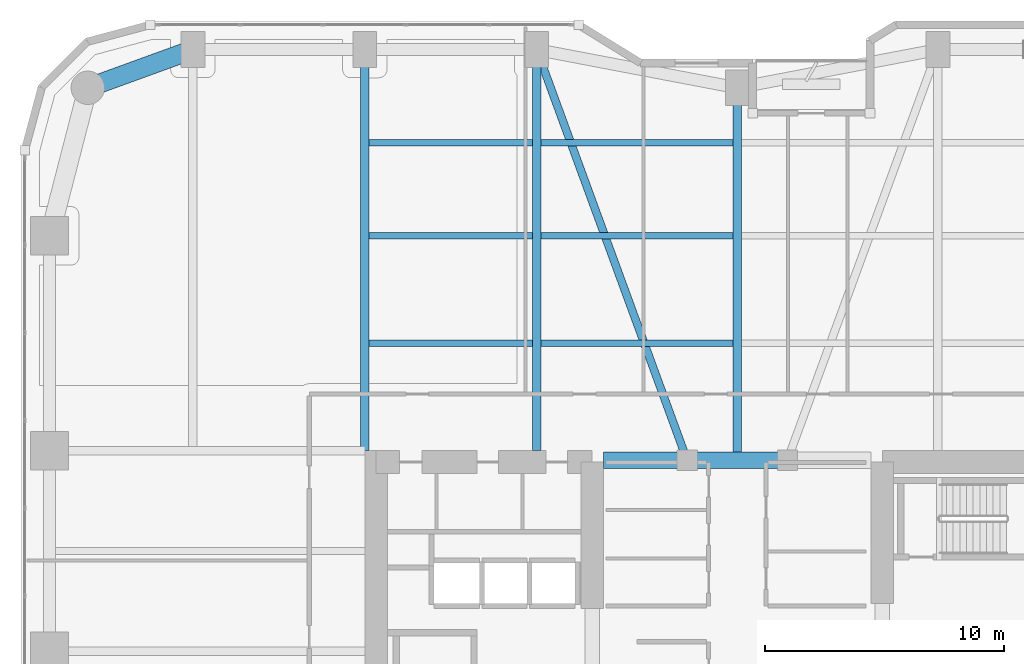
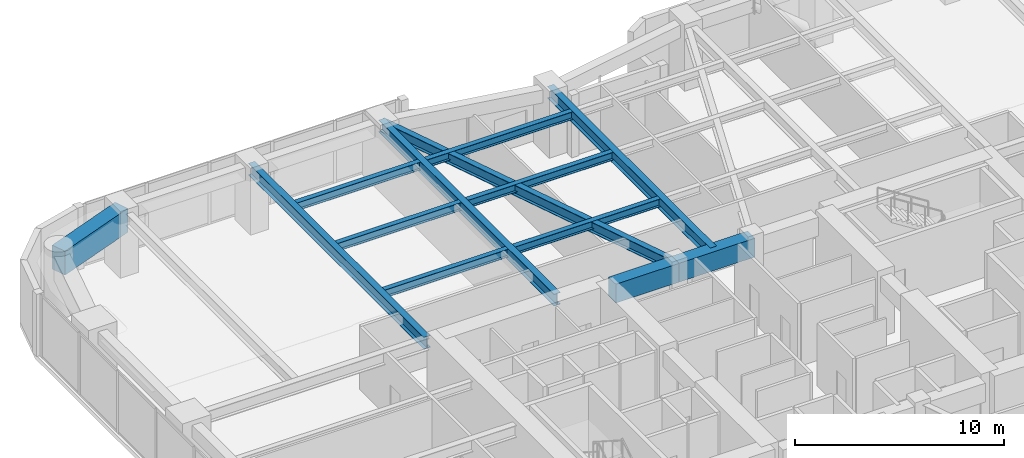
# One storey, part 15 of 28: 13 beams.
"""IFC4 building model written with IfcOpenShell, lengths in metres."""

from ifc_helpers import new_model, si_unit, direction, frame, origin, origin_2d, place, context, subcontext, project, spatial, rectangle, i_section, extrude, material, material_profile, profile_set, type_object, element, save


model = new_model("IFC4")

# Units and contexts
model_context = context("Model", 3, precision=1e-05, world=origin(), true_north=direction((0.0, 1.0)))
body_context = subcontext(model_context, "Body", "Model", "MODEL_VIEW")
ifc_project = project(units=[si_unit("LENGTHUNIT", "METRE"), si_unit("AREAUNIT", "SQUARE_METRE"), si_unit("VOLUMEUNIT", "CUBIC_METRE"), si_unit("PLANEANGLEUNIT", "RADIAN"), si_unit("MASSUNIT", "GRAM", prefix="KILO")], contexts=[model_context])

# Site, building, storey
site_placement = place(None, origin())
site = spatial("IfcSite", under=ifc_project, at=site_placement, CompositionType="ELEMENT")
building_placement = place(site_placement, origin())
building = spatial("IfcBuilding", under=site, at=building_placement, Name="Kiyonajd Concourse Tower", CompositionType="ELEMENT")
storey_placement = place(building_placement, frame((0.0, 0.0, 41.10009765625)))
storey = spatial("IfcBuildingStorey", under=building, at=storey_placement, Name="L11", CompositionType="ELEMENT", Elevation=41.10009765625)

# Beams
ifc_material_1 = material(Name="Concrete C70/85", Category="concrete")
ifc_material_profile_1 = material_profile(ifc_material_1, rectangle(XDim=0.699951171875, YDim=1.10009765625, at=origin_2d()), Name="RCBM-700x1100")
ifc_profile_set_1 = profile_set([ifc_material_profile_1], Name="Concrete C70/85")
beam_type_1 = type_object("IfcBeamType", Name="BM-COUP-1100", PredefinedType="LINTEL", material=ifc_profile_set_1)
beam_1_placement = place(storey_placement, frame((42.39990234375, 44.0, 3.08984375), z_axis=(1.0, 0.0, 0.0), x_axis=(0.0, 1.0, 0.0)))
element("IfcBeam", 1, at=beam_1_placement, inside=storey, type_object=beam_type_1, Name="L11 Core Coupling Beam N1", PredefinedType="LINTEL", context=body_context, shape_type="SweptSolid", body=[
    extrude(rectangle(XDim=0.699951171875, YDim=1.10009765625, at=origin_2d()), origin(), (0.0, 0.0, 1.0), 3.5),
])
beam_2_placement = place(storey_placement, frame((45.89990234375, 44.0, 3.08984375), z_axis=(1.0, 0.0, 0.0), x_axis=(0.0, 1.0, 0.0)))
element("IfcBeam", 2, at=beam_2_placement, inside=storey, type_object=beam_type_1, Name="L11 Core Coupling Beam N2", PredefinedType="LINTEL", context=body_context, shape_type="SweptSolid", body=[
    extrude(rectangle(XDim=0.699951171875, YDim=1.10009765625, at=origin_2d()), origin(), (0.0, 0.0, 1.0), 4.2001953125),
])
ifc_material_2 = material(Name="Steel ASTM A992 Grade 50", Category="steel")
ifc_material_profile_2 = material_profile(ifc_material_2, i_section(OverallWidth=0.280029296875, OverallDepth=0.462890625, WebThickness=0.0107421875, FlangeThickness=0.017333984375, at=origin_2d()), Name="W460X113")
ifc_profile_set_2 = profile_set([ifc_material_profile_2], Name="Steel ASTM A992 Grade 50")
beam_type_2 = type_object("IfcBeamType", Name="BM-JST-460A", PredefinedType="JOIST", material=ifc_profile_set_2)
beam_3_placement = place(storey_placement, frame((32.577392578125, 48.89990234375, 3.408447265625), z_axis=(1.0, 0.0, 0.0), x_axis=(0.0, 1.0, 0.0)))
element("IfcBeam", 3, at=beam_3_placement, inside=storey, type_object=beam_type_2, Name="L11 Secondary Floor Joist", PredefinedType="JOIST", context=body_context, shape_type="SweptSolid", body=[
    extrude(i_section(OverallWidth=0.280029296875, OverallDepth=0.462890625, WebThickness=0.0107421875, FlangeThickness=0.017333984375, at=origin_2d()), origin(), (0.0, 0.0, 1.0), 6.84521484375),
])
beam_4_placement = place(storey_placement, frame((39.777587890625, 48.89990234375, 3.408447265625), z_axis=(1.0, 0.0, 0.0), x_axis=(0.0, 1.0, 0.0)))
element("IfcBeam", 4, at=beam_4_placement, inside=storey, type_object=beam_type_2, Name="L11 Secondary Floor Joist", PredefinedType="JOIST", context=body_context, shape_type="SweptSolid", body=[
    extrude(i_section(OverallWidth=0.280029296875, OverallDepth=0.462890625, WebThickness=0.0107421875, FlangeThickness=0.017333984375, at=origin_2d()), origin(), (0.0, 0.0, 1.0), 8.044921875),
])
beam_5_placement = place(storey_placement, frame((32.577392578125, 53.39990234375, 3.408447265625), z_axis=(1.0, 0.0, 0.0), x_axis=(0.0, 1.0, 0.0)))
element("IfcBeam", 5, at=beam_5_placement, inside=storey, type_object=beam_type_2, Name="L11 Secondary Floor Joist", PredefinedType="JOIST", context=body_context, shape_type="SweptSolid", body=[
    extrude(i_section(OverallWidth=0.280029296875, OverallDepth=0.462890625, WebThickness=0.0107421875, FlangeThickness=0.017333984375, at=origin_2d()), origin(), (0.0, 0.0, 1.0), 6.84521484375),
])
beam_6_placement = place(storey_placement, frame((39.777587890625, 53.39990234375, 3.408447265625), z_axis=(1.0, 0.0, 0.0), x_axis=(0.0, 1.0, 0.0)))
element("IfcBeam", 6, at=beam_6_placement, inside=storey, type_object=beam_type_2, Name="L11 Secondary Floor Joist", PredefinedType="JOIST", context=body_context, shape_type="SweptSolid", body=[
    extrude(i_section(OverallWidth=0.280029296875, OverallDepth=0.462890625, WebThickness=0.0107421875, FlangeThickness=0.017333984375, at=origin_2d()), origin(), (0.0, 0.0, 1.0), 8.044921875),
])
beam_7_placement = place(storey_placement, frame((32.577392578125, 57.300048828125, 3.408447265625), z_axis=(1.0, 0.0, 0.0), x_axis=(0.0, 1.0, 0.0)))
element("IfcBeam", 7, at=beam_7_placement, inside=storey, type_object=beam_type_2, Name="L11 Secondary Floor Joist", PredefinedType="JOIST", context=body_context, shape_type="SweptSolid", body=[
    extrude(i_section(OverallWidth=0.280029296875, OverallDepth=0.462890625, WebThickness=0.0107421875, FlangeThickness=0.017333984375, at=origin_2d()), origin(), (0.0, 0.0, 1.0), 6.84521484375),
])
beam_8_placement = place(storey_placement, frame((39.777587890625, 57.300048828125, 3.408447265625), z_axis=(1.0, 0.0, 0.0), x_axis=(0.0, 1.0, 0.0)))
element("IfcBeam", 8, at=beam_8_placement, inside=storey, type_object=beam_type_2, Name="L11 Secondary Floor Joist", PredefinedType="JOIST", context=body_context, shape_type="SweptSolid", body=[
    extrude(i_section(OverallWidth=0.280029296875, OverallDepth=0.462890625, WebThickness=0.0107421875, FlangeThickness=0.017333984375, at=origin_2d()), origin(), (0.0, 0.0, 1.0), 8.044921875),
])
ifc_material_profile_3 = material_profile(ifc_material_2, i_section(OverallWidth=0.326904296875, OverallDepth=0.6220703125, WebThickness=0.015380859375, FlangeThickness=0.0244140625, at=origin_2d()), Name="W610X195")
ifc_profile_set_3 = profile_set([ifc_material_profile_3], Name="Steel ASTM A992 Grade 50")
beam_type_3 = type_object("IfcBeamType", Name="BM-TWR-610A", PredefinedType="BEAM", material=ifc_profile_set_3)
beam_9_placement = place(storey_placement, frame((39.60009765625, 61.199951171875, 3.328857421875), z_axis=(0.343925269715, -0.938997022813, 0.0), x_axis=(0.938997022813, 0.343925269715, 0.0)))
element("IfcBeam", 9, at=beam_9_placement, inside=storey, type_object=beam_type_3, Name="L11 Core Tie Girder", PredefinedType="BEAM", context=body_context, shape_type="SweptSolid", body=[
    extrude(i_section(OverallWidth=0.326904296875, OverallDepth=0.6220703125, WebThickness=0.015380859375, FlangeThickness=0.0244140625, at=origin_2d()), origin(), (0.0, 0.0, 1.0), 18.3173828125),
])
ifc_material_profile_4 = material_profile(ifc_material_2, i_section(OverallWidth=0.35498046875, OverallDepth=0.695068359375, WebThickness=0.015380859375, FlangeThickness=0.02490234375, at=origin_2d()), Name="W690X217")
ifc_profile_set_4 = profile_set([ifc_material_profile_4], Name="Steel ASTM A992 Grade 50")
beam_type_4 = type_object("IfcBeamType", Name="BM-TWR-690", PredefinedType="BEAM", material=ifc_profile_set_4)
for number, where, z_axis, x_axis, name in (
    (10, (32.39990234375, 44.39990234375, 3.29248046875), (0.0, 1.0, 0.0), (-1.0, 0.0, 0.0), "L11 North Lease Girder"),
    (11, (39.60009765625, 44.39990234375, 3.29248046875), (0.0, 1.0, 0.0), (-1.0, 0.0, 0.0), "L11 North Lease Girder"),
):
    element("IfcBeam", number, at=place(storey_placement, frame(where, z_axis=z_axis, x_axis=x_axis)), inside=storey, type_object=beam_type_4, Name=name, PredefinedType="BEAM", context=body_context, shape_type="SweptSolid", body=[
        extrude(i_section(OverallWidth=0.35498046875, OverallDepth=0.695068359375, WebThickness=0.015380859375, FlangeThickness=0.02490234375, at=origin_2d()), origin(), (0.0, 0.0, 1.0), 16.800048828125),
    ])
beam_10_placement = place(storey_placement, frame((48.0, 44.0, 3.29248046875), z_axis=(0.0, 1.0, 0.0), x_axis=(-1.0, 0.0, 0.0)))
element("IfcBeam", 12, at=beam_10_placement, inside=storey, type_object=beam_type_4, Name="L11 North Ribbon Girder", PredefinedType="BEAM", context=body_context, shape_type="SweptSolid", body=[
    extrude(i_section(OverallWidth=0.35498046875, OverallDepth=0.695068359375, WebThickness=0.015380859375, FlangeThickness=0.02490234375, at=origin_2d()), origin(), (0.0, 0.0, 1.0), 15.60009765625),
])
ifc_material_3 = material(Name="Concrete C60/75", Category="concrete")
ifc_material_profile_5 = material_profile(ifc_material_3, rectangle(XDim=0.800048828125, YDim=1.39990234375, at=origin_2d()), Name="RCBM-800x1400")
ifc_profile_set_5 = profile_set([ifc_material_profile_5], Name="Concrete C60/75")
beam_type_5 = type_object("IfcBeamType", Name="BM-XFER-RC", PredefinedType="BEAM", material=ifc_profile_set_5)
beam_11_placement = place(storey_placement, frame((25.199951171875, 61.199951171875, 2.93994140625), z_axis=(-0.939801036019, -0.341722127901, 0.0), x_axis=(0.341722127901, -0.939801036019, 0.0)))
element("IfcBeam", 13, at=beam_11_placement, inside=storey, type_object=beam_type_5, Name="L11 Perimeter Bundled Tube Spandrel", PredefinedType="BEAM", context=body_context, shape_type="SweptSolid", body=[
    extrude(rectangle(XDim=0.800048828125, YDim=1.39990234375, at=origin_2d()), origin(), (0.0, 0.0, 1.0), 4.681640625),
])

save(model, "model.ifc")
